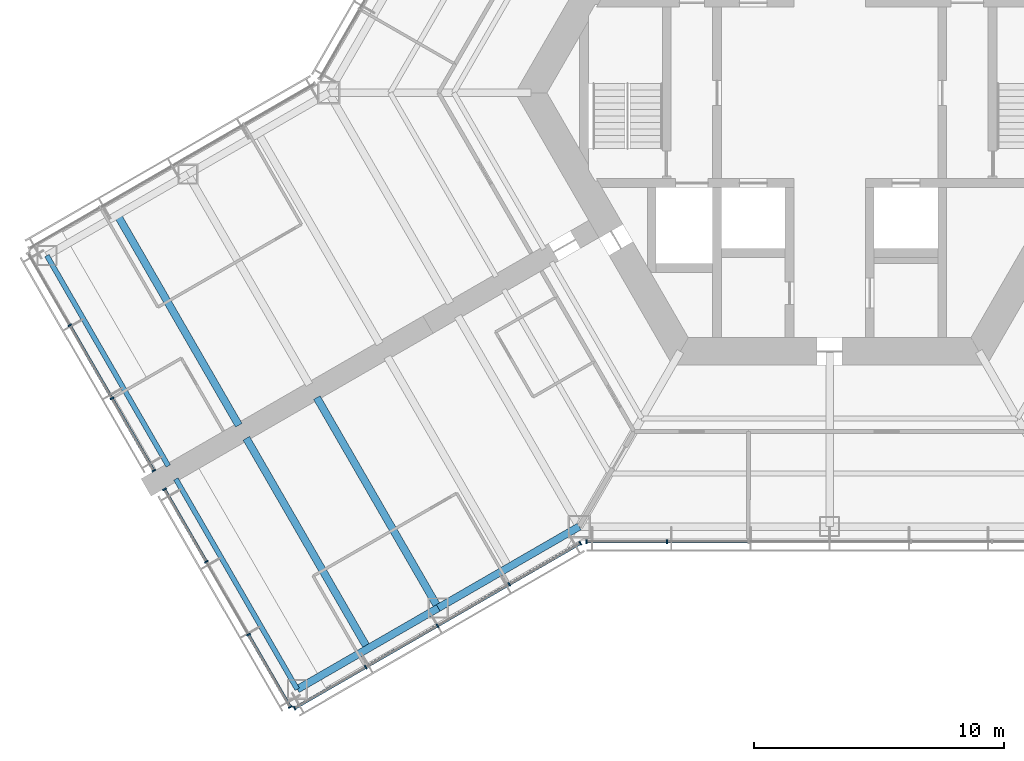
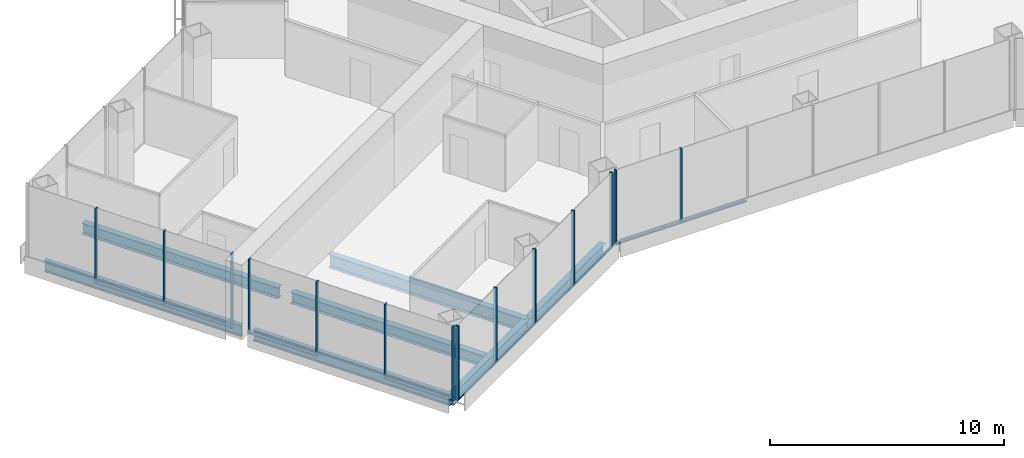
# One storey, part 2 of 18: 24 members, 7 beams, 4 elements without a shape of their own.
"""IFC4 building model written with IfcOpenShell, lengths in metres."""

import ifcopenshell
import ifcopenshell.guid

model = None  # the IFC model being written
_history = None  # IfcOwnerHistory: only IFC2X3 demands one
_inside = {}  # id of a spatial element -> (the spatial element, [elements in it])
_under = {}  # id of a project, library or spatial element -> (it, [spatial elements below it])
_declared = {}  # id of a project -> (the project, [libraries it declares])
_typed = {}  # id of a type object -> (the type object, [elements of that type])
_made_of = {}  # id of a material, layer set ... -> (it, [elements and type objects made of it])


def new_model(schema):
    """Start an empty IFC model of exactly this schema.

    Asked for "IFC4X3", IfcOpenShell would pick the latest addendum, in which some entities
    have other attributes; the version numbers below select the first issue.
    IFC2X3 requires an IfcOwnerHistory on every rooted entity: one is made here for all.
    """
    global model, _history
    if schema == "IFC4X3":
        model = ifcopenshell.file(schema_version=(4, 3, 0, 0))
    else:
        model = ifcopenshell.file(schema=schema)
    _inside.clear()
    _under.clear()
    _declared.clear()
    _typed.clear()
    _made_of.clear()
    _history = None
    if model.schema == "IFC2X3":
        org = make("IfcOrganization", Name="unknown")
        user = make(
            "IfcPersonAndOrganization",
            ThePerson=make("IfcPerson", FamilyName="unknown"),
            TheOrganization=org,
        )
        app = make(
            "IfcApplication",
            ApplicationDeveloper=org,
            Version="unknown",
            ApplicationFullName="unknown",
            ApplicationIdentifier="unknown",
        )
        _history = make(
            "IfcOwnerHistory",
            OwningUser=user,
            OwningApplication=app,
            ChangeAction="ADDED",
            CreationDate=0,
        )
    return model


def make(cls, **values):
    """One entity of the class cls with the attributes given. An attribute that is None is left unset."""
    return model.create_entity(
        cls, **{name: value for name, value in values.items() if value is not None}
    )


def rooted(cls, **values):
    """An entity with a GlobalId (a new one), such as an element, a storey or a relation."""
    return make(cls, GlobalId=ifcopenshell.guid.new(), OwnerHistory=_history, **values)


def si_unit(unit_type, name, prefix=None):
    """IfcSIUnit, for example si_unit("LENGTHUNIT", "METRE", prefix="MILLI")."""
    return make("IfcSIUnit", UnitType=unit_type, Prefix=prefix, Name=name)


def assignment(units):
    """IfcUnitAssignment: the units of a project."""
    return None if units is None else make("IfcUnitAssignment", Units=units)


def point(xyz):
    """IfcCartesianPoint."""
    return None if xyz is None else make("IfcCartesianPoint", Coordinates=xyz)


def direction(xyz):
    """IfcDirection."""
    return None if xyz is None else make("IfcDirection", DirectionRatios=xyz)


def frame(location, z_axis=None, x_axis=None):
    """IfcAxis2Placement3D, a coordinate frame: its origin and axes. An axis left out is left unset."""
    return make(
        "IfcAxis2Placement3D",
        Location=point(location),
        Axis=direction(z_axis),
        RefDirection=direction(x_axis),
    )


def frame_2d(location, x_axis=None):
    """IfcAxis2Placement2D, a coordinate frame in the plane: its origin and x axis."""
    return make(
        "IfcAxis2Placement2D", Location=point(location), RefDirection=direction(x_axis)
    )


def origin():
    """The frame at (0, 0, 0) with its axes left unset."""
    return frame((0.0, 0.0, 0.0))


def origin_2d():
    """The frame at (0, 0) in the plane with its x axis left unset."""
    return frame_2d((0.0, 0.0))


def place(relative_to, where):
    """IfcLocalPlacement: puts the frame where relative to a parent placement (None: the world)."""
    return make(
        "IfcLocalPlacement", PlacementRelTo=relative_to, RelativePlacement=where
    )


def context(
    kind, dimensions, precision=None, world=None, true_north=None, identifier=None
):
    """IfcGeometricRepresentationContext, for example the 3D "Model" context."""
    return make(
        "IfcGeometricRepresentationContext",
        ContextIdentifier=identifier,
        ContextType=kind,
        CoordinateSpaceDimension=dimensions,
        Precision=precision,
        WorldCoordinateSystem=world,
        TrueNorth=true_north,
    )


def subcontext(parent, identifier, kind, view, scale=None):
    """IfcGeometricRepresentationSubContext, for example "Body" below "Model"."""
    return make(
        "IfcGeometricRepresentationSubContext",
        ContextIdentifier=identifier,
        ContextType=kind,
        ParentContext=parent,
        TargetScale=scale,
        TargetView=view,
    )


def project(units=None, contexts=None):
    """IfcProject with its units and contexts."""
    return rooted(
        "IfcProject",
        Name="project",
        RepresentationContexts=contexts,
        UnitsInContext=assignment(units),
    )


def spatial(cls, under=None, at=None, **own):
    """A site, building, storey or space (cls), placed at a placement, below another one or the project."""
    s = rooted(cls, ObjectPlacement=at, **own)
    if under is not None:
        _under.setdefault(under.id(), (under, []))[1].append(s)
    return s


def profile(cls, at=None, kind="AREA", **sizes):
    """A parametric profile (cls). Its sizes go by their IFC names, for example OverallWidth=200.0."""
    return make(cls, ProfileType=kind, Position=at, **sizes)


def rectangle(**sizes):
    """IfcRectangleProfileDef."""
    return profile("IfcRectangleProfileDef", **sizes)


def i_section(**sizes):
    """IfcIShapeProfileDef."""
    return profile("IfcIShapeProfileDef", **sizes)


def extrude(swept, where, along, depth):
    """IfcExtrudedAreaSolid: the profile swept, set in the frame where, extruded along a direction by depth."""
    return make(
        "IfcExtrudedAreaSolid",
        SweptArea=swept,
        Position=where,
        ExtrudedDirection=direction(along),
        Depth=depth,
    )


def shape(context_of_items, identifier, shape_type, items):
    """IfcShapeRepresentation: the items that make up one representation, for example the "Body"."""
    return make(
        "IfcShapeRepresentation",
        ContextOfItems=context_of_items,
        RepresentationIdentifier=identifier,
        RepresentationType=shape_type,
        Items=items,
    )


def material(Name=None, Category=None):
    """IfcMaterial."""
    return make("IfcMaterial", Name=Name, Category=Category)


def material_profile(
    of_material, cross_section, Name=None, Category=None, Priority=None
):
    """IfcMaterialProfile: a cross section and its material."""
    return make(
        "IfcMaterialProfile",
        Name=Name,
        Material=of_material,
        Profile=cross_section,
        Priority=Priority,
        Category=Category,
    )


def profile_set(profiles, Name=None, composite=None):
    """IfcMaterialProfileSet."""
    return make(
        "IfcMaterialProfileSet",
        Name=Name,
        MaterialProfiles=profiles,
        CompositeProfile=composite,
    )


def made_of(thing, what):
    """Note that an element or type object is made of a material, layer set ...; save() writes the relation."""
    if what is not None:
        _made_of.setdefault(what.id(), (what, []))[1].append(thing)
    return thing


def type_object(cls, material=None, **own):
    """A type object (cls), such as IfcWallType, which elements share."""
    return made_of(rooted(cls, **own), material)


def element(
    cls,
    number,
    at=None,
    inside=None,
    cuts=None,
    type_object=None,
    material=None,
    context=None,
    identifier="Body",
    shape_type=None,
    held_by="IfcProductDefinitionShape",
    body=None,
    shapes=None,
    **own,
):
    """One element of the class cls, such as IfcWall. Its Tag is "e" and its number.

    at: its placement. inside: the storey or other place that contains it. cuts: it is an
    opening in that element (IfcRelVoidsElement). A single representation is given by context,
    identifier, shape_type and body (its items); several are given by shapes. held_by: the class
    of the entity that holds the representations. save() writes the other relations.
    """
    e = rooted(cls, Tag="e%d" % number, ObjectPlacement=at, **own)
    if body is not None:
        shapes = [shape(context, identifier, shape_type, body)]
    if shapes is not None:
        e.Representation = make(held_by, Representations=shapes)
    if inside is not None:
        _inside.setdefault(inside.id(), (inside, []))[1].append(e)
    if cuts is not None:
        rooted(
            "IfcRelVoidsElement", RelatingBuildingElement=cuts, RelatedOpeningElement=e
        )
    if type_object is not None:
        _typed.setdefault(type_object.id(), (type_object, []))[1].append(e)
    return made_of(e, material)


def aggregate(whole, parts):
    """IfcRelAggregates: a whole, such as a stair, and the parts it consists of."""
    return rooted("IfcRelAggregates", RelatingObject=whole, RelatedObjects=parts)


def save(model, path):
    """Write the relations noted so far, then the file.

    IfcRelAggregates (storeys below a building ...), IfcRelContainedInSpatialStructure (elements
    in a storey), IfcRelDefinesByType, IfcRelAssociatesMaterial and IfcRelDeclares: one each for
    every whole, place, type object, material and project.
    """
    for whole, parts in _under.values():
        aggregate(whole, parts)
    for where, things in _inside.values():
        rooted(
            "IfcRelContainedInSpatialStructure",
            RelatedElements=things,
            RelatingStructure=where,
        )
    for kind, things in _typed.values():
        rooted("IfcRelDefinesByType", RelatedObjects=things, RelatingType=kind)
    for what, things in _made_of.values():
        rooted("IfcRelAssociatesMaterial", RelatedObjects=things, RelatingMaterial=what)
    for by, libraries in _declared.values():
        rooted("IfcRelDeclares", RelatingContext=by, RelatedDefinitions=libraries)
    model.write(path)


model = new_model("IFC4")

# Units and contexts
model_context = context("Model", 3, precision=1e-05, world=origin(), true_north=direction((0.0, 1.0)))
body_context = subcontext(model_context, "Body", "Model", "MODEL_VIEW")
ifc_project = project(units=[si_unit("LENGTHUNIT", "METRE"), si_unit("AREAUNIT", "SQUARE_METRE"), si_unit("VOLUMEUNIT", "CUBIC_METRE"), si_unit("PLANEANGLEUNIT", "RADIAN"), si_unit("MASSUNIT", "GRAM", prefix="KILO")], contexts=[model_context])

# Site, building, storey
site_placement = place(None, origin())
site = spatial("IfcSite", under=ifc_project, at=site_placement, CompositionType="ELEMENT")
building_placement = place(site_placement, origin())
building = spatial("IfcBuilding", under=site, at=building_placement, Name="Kasaneha Research Tower", CompositionType="ELEMENT")
storey_placement = place(building_placement, frame((0.0, 0.0, 76.800048828125)))
storey = spatial("IfcBuildingStorey", under=building, at=storey_placement, Name="L19", CompositionType="ELEMENT", Elevation=76.800048828125)

# Beams
ifc_material_1 = material(Name="Steel SN490B", Category="steel")
ifc_material_profile_1 = material_profile(ifc_material_1, i_section(OverallWidth=0.300048828125, OverallDepth=0.58203125, WebThickness=0.011962890625, FlangeThickness=0.01708984375, FilletRadius=0.012939453125, at=origin_2d()), Name="H-582x300x12x17")
ifc_profile_set_1 = profile_set([ifc_material_profile_1], Name="Steel SN490B")
beam_type_1 = type_object("IfcBeamType", Name="B2-3 secondary beam H-582x300x12x17", PredefinedType="JOIST", material=ifc_profile_set_1)
for number, where, z_axis, x_axis, name in (
    (1, (-28.44384765625, -4.875, -0.441162109375), (0.500010041276, -0.866019606374, 0.0), (0.866019606374, 0.500010041276, 0.0), "Secondary beam WBBP2 L19"),
    (2, (-18.44384765625, -22.195556640625, -0.441162109375), (-0.499991164321, 0.866030505006, 0.0), (-0.866030505006, -0.499991164321, 0.0), "Secondary beam WBBN2 L19"),
):
    element("IfcBeam", number, at=place(storey_placement, frame(where, z_axis=z_axis, x_axis=x_axis)), inside=storey, type_object=beam_type_1, Name=name, PredefinedType="JOIST", context=body_context, shape_type="SweptSolid", body=[
        extrude(i_section(OverallWidth=0.300048828125, OverallDepth=0.58203125, WebThickness=0.011962890625, FlangeThickness=0.01708984375, FilletRadius=0.012939453125, at=origin_2d()), origin(), (0.0, 0.0, 1.0), 9.699951171875),
    ])

# Curtain wall, members
ifc_material_2 = material(Name="Glass and aluminium", Category="aluminium")
curtain_wall_type = type_object("IfcCurtainWallType", Name="Low-rise office curtain wall", PredefinedType="USERDEFINED", material=ifc_material_2)
curtain_wall_1_placement = place(storey_placement, origin())
curtain_wall_1 = element("IfcCurtainWall", 3, at=curtain_wall_1_placement, inside=storey, type_object=curtain_wall_type, Name="CW-O1 L19 run 01a", ObjectType="UNITISED CURTAIN WALL", PredefinedType="USERDEFINED")
ifc_material_3 = material(Name="Aluminium 6063-T6", Category="aluminium")
ifc_material_profile_2 = material_profile(ifc_material_3, rectangle(XDim=0.06005859375, YDim=0.159912109375, at=origin_2d()), Name="CW-O1 mullion 60x160")
ifc_profile_set_2 = profile_set([ifc_material_profile_2], Name="Aluminium 6063-T6")
member_type_1 = type_object("IfcMemberType", Name="CW-O1 mullion", PredefinedType="MULLION", material=ifc_profile_set_2)
member_1_placement = place(storey_placement, frame((-21.365478515625, -24.5751953125, 0.0), z_axis=(0.0, 0.0, 1.0), x_axis=(0.866025411464, 0.499999986699, 0.0)))
member_1 = element("IfcMember", 4, at=member_1_placement, type_object=member_type_1, Name="CW-O1 mullion 1", PredefinedType="MULLION", context=body_context, shape_type="SweptSolid", body=[
    extrude(rectangle(XDim=0.06005859375, YDim=0.159912109375, at=origin_2d()), origin(), (0.0, 0.0, 1.0), 3.89990234375),
])
member_2_placement = place(storey_placement, frame((-18.52490234375, -22.935302734375, 0.0), z_axis=(0.0, 0.0, 1.0), x_axis=(0.866025411464, 0.499999986699, 0.0)))
member_2 = element("IfcMember", 5, at=member_2_placement, type_object=member_type_1, Name="CW-O1 mullion 2", PredefinedType="MULLION", context=body_context, shape_type="SweptSolid", body=[
    extrude(rectangle(XDim=0.06005859375, YDim=0.159912109375, at=origin_2d()), origin(), (0.0, 0.0, 1.0), 3.89990234375),
])
member_3_placement = place(storey_placement, frame((-15.65869140625, -21.2802734375, 0.0), z_axis=(0.0, 0.0, 1.0), x_axis=(0.866025411464, 0.499999986699, 0.0)))
member_3 = element("IfcMember", 6, at=member_3_placement, type_object=member_type_1, Name="CW-O1 mullion 3", PredefinedType="MULLION", context=body_context, shape_type="SweptSolid", body=[
    extrude(rectangle(XDim=0.06005859375, YDim=0.159912109375, at=origin_2d()), origin(), (0.0, 0.0, 1.0), 3.89990234375),
])
member_4_placement = place(storey_placement, frame((-12.792236328125, -19.62548828125, 0.0), z_axis=(0.0, 0.0, 1.0), x_axis=(0.866025411464, 0.499999986699, 0.0)))
member_4 = element("IfcMember", 7, at=member_4_placement, type_object=member_type_1, Name="CW-O1 mullion 4", PredefinedType="MULLION", context=body_context, shape_type="SweptSolid", body=[
    extrude(rectangle(XDim=0.06005859375, YDim=0.159912109375, at=origin_2d()), origin(), (0.0, 0.0, 1.0), 3.89990234375),
])
member_5_placement = place(storey_placement, frame((-9.951904296875, -17.985595703125, 0.0), z_axis=(0.0, 0.0, 1.0), x_axis=(0.866025411464, 0.499999986699, 0.0)))
member_5 = element("IfcMember", 8, at=member_5_placement, type_object=member_type_1, Name="CW-O1 mullion 5", PredefinedType="MULLION", context=body_context, shape_type="SweptSolid", body=[
    extrude(rectangle(XDim=0.06005859375, YDim=0.159912109375, at=origin_2d()), origin(), (0.0, 0.0, 1.0), 3.89990234375),
])

curtain_wall_2_placement = place(storey_placement, origin())
curtain_wall_2 = element("IfcCurtainWall", 9, at=curtain_wall_2_placement, inside=storey, type_object=curtain_wall_type, Name="CW-O1 L19 run 02a", ObjectType="UNITISED CURTAIN WALL", PredefinedType="USERDEFINED")
member_6_placement = place(storey_placement, frame((-9.709228515625, -17.92041015625, 0.0), z_axis=(0.0, 0.0, 1.0), x_axis=(1.0, 0.0, 0.0)))
member_6 = element("IfcMember", 10, at=member_6_placement, type_object=member_type_1, Name="CW-O1 mullion 1", PredefinedType="MULLION", context=body_context, shape_type="SweptSolid", body=[
    extrude(rectangle(XDim=0.06005859375, YDim=0.159912109375, at=origin_2d()), origin(), (0.0, 0.0, 1.0), 3.89990234375),
])
member_7_placement = place(storey_placement, frame((-6.492919921875, -17.92041015625, 0.0), z_axis=(0.0, 0.0, 1.0), x_axis=(1.0, 0.0, 0.0)))
member_7 = element("IfcMember", 11, at=member_7_placement, type_object=member_type_1, Name="CW-O1 mullion 2", PredefinedType="MULLION", context=body_context, shape_type="SweptSolid", body=[
    extrude(rectangle(XDim=0.06005859375, YDim=0.159912109375, at=origin_2d()), origin(), (0.0, 0.0, 1.0), 3.89990234375),
])

curtain_wall_3_placement = place(storey_placement, origin())
curtain_wall_3 = element("IfcCurtainWall", 12, at=curtain_wall_3_placement, inside=storey, type_object=curtain_wall_type, Name="CW-O1 L19 run 14a", ObjectType="UNITISED CURTAIN WALL", PredefinedType="USERDEFINED")
member_8_placement = place(storey_placement, frame((-30.3447265625, -9.28271484375, 0.0), z_axis=(0.0, 0.0, 1.0), x_axis=(0.500000011442, -0.866025397178, 0.0)))
member_8 = element("IfcMember", 13, at=member_8_placement, type_object=member_type_1, Name="CW-O1 mullion 2", PredefinedType="MULLION", context=body_context, shape_type="SweptSolid", body=[
    extrude(rectangle(XDim=0.06005859375, YDim=0.159912109375, at=origin_2d()), origin(), (0.0, 0.0, 1.0), 3.89990234375),
])
member_9_placement = place(storey_placement, frame((-28.661376953125, -12.1982421875, 0.0), z_axis=(0.0, 0.0, 1.0), x_axis=(0.500000011442, -0.866025397178, 0.0)))
member_9 = element("IfcMember", 14, at=member_9_placement, type_object=member_type_1, Name="CW-O1 mullion 3", PredefinedType="MULLION", context=body_context, shape_type="SweptSolid", body=[
    extrude(rectangle(XDim=0.06005859375, YDim=0.159912109375, at=origin_2d()), origin(), (0.0, 0.0, 1.0), 3.89990234375),
])
member_10_placement = place(storey_placement, frame((-26.992919921875, -15.087890625, 0.0), z_axis=(0.0, 0.0, 1.0), x_axis=(0.500000011442, -0.866025397178, 0.0)))
member_10 = element("IfcMember", 15, at=member_10_placement, type_object=member_type_1, Name="CW-O1 mullion 4", PredefinedType="MULLION", context=body_context, shape_type="SweptSolid", body=[
    extrude(rectangle(XDim=0.06005859375, YDim=0.159912109375, at=origin_2d()), origin(), (0.0, 0.0, 1.0), 3.89990234375),
])

curtain_wall_4_placement = place(storey_placement, origin())
curtain_wall_4 = element("IfcCurtainWall", 16, at=curtain_wall_4_placement, inside=storey, type_object=curtain_wall_type, Name="CW-O1 L19 run 15a", ObjectType="UNITISED CURTAIN WALL", PredefinedType="USERDEFINED")
member_11_placement = place(storey_placement, frame((-26.56298828125, -15.832763671875, 0.0), z_axis=(0.0, 0.0, 1.0), x_axis=(0.500000011442, -0.866025397178, 0.0)))
member_11 = element("IfcMember", 17, at=member_11_placement, type_object=member_type_1, Name="CW-O1 mullion 1", PredefinedType="MULLION", context=body_context, shape_type="SweptSolid", body=[
    extrude(rectangle(XDim=0.06005859375, YDim=0.159912109375, at=origin_2d()), origin(), (0.0, 0.0, 1.0), 3.89990234375),
])
member_12_placement = place(storey_placement, frame((-24.89453125, -18.72216796875, 0.0), z_axis=(0.0, 0.0, 1.0), x_axis=(0.500000011442, -0.866025397178, 0.0)))
member_12 = element("IfcMember", 18, at=member_12_placement, type_object=member_type_1, Name="CW-O1 mullion 2", PredefinedType="MULLION", context=body_context, shape_type="SweptSolid", body=[
    extrude(rectangle(XDim=0.06005859375, YDim=0.159912109375, at=origin_2d()), origin(), (0.0, 0.0, 1.0), 3.89990234375),
])
member_13_placement = place(storey_placement, frame((-23.211181640625, -21.637939453125, 0.0), z_axis=(0.0, 0.0, 1.0), x_axis=(0.500000011442, -0.866025397178, 0.0)))
member_13 = element("IfcMember", 19, at=member_13_placement, type_object=member_type_1, Name="CW-O1 mullion 3", PredefinedType="MULLION", context=body_context, shape_type="SweptSolid", body=[
    extrude(rectangle(XDim=0.06005859375, YDim=0.159912109375, at=origin_2d()), origin(), (0.0, 0.0, 1.0), 3.89990234375),
])
member_14_placement = place(storey_placement, frame((-21.54296875, -24.527587890625, 0.0), z_axis=(0.0, 0.0, 1.0), x_axis=(0.500000011442, -0.866025397178, 0.0)))
member_14 = element("IfcMember", 20, at=member_14_placement, type_object=member_type_1, Name="CW-O1 mullion 4", PredefinedType="MULLION", context=body_context, shape_type="SweptSolid", body=[
    extrude(rectangle(XDim=0.06005859375, YDim=0.159912109375, at=origin_2d()), origin(), (0.0, 0.0, 1.0), 3.89990234375),
])

# Member
ifc_material_4 = material(Name="Aluminium 6063-T6", Category="aluminium")
ifc_material_profile_3 = material_profile(ifc_material_4, rectangle(XDim=0.1201171875, YDim=0.06005859375, at=origin_2d()), Name="CW-O1 transom 120x60")
ifc_profile_set_3 = profile_set([ifc_material_profile_3], Name="Aluminium 6063-T6")
member_type_2 = type_object("IfcMemberType", Name="CW-O1 transom", PredefinedType="USERDEFINED", material=ifc_profile_set_3)
member_15_placement = place(storey_placement, frame((-21.33935546875, -24.56005859375, 0.030029296875), z_axis=(0.866022692473, 0.500004696101, 0.0), x_axis=(-0.500004696101, 0.866022692473, 0.0)))
member_15 = element("IfcMember", 21, at=member_15_placement, type_object=member_type_2, Name="CW-O1 transom 1", ObjectType="TRANSOM", PredefinedType="USERDEFINED", context=body_context, shape_type="SweptSolid", body=[
    extrude(rectangle(XDim=0.1201171875, YDim=0.06005859375, at=origin_2d()), origin(), (0.0, 0.0, 1.0), 3.2197265625),
])

member_16_placement = place(storey_placement, frame((-18.4990234375, -22.920166015625, 0.030029296875), z_axis=(0.86604797581, 0.499960902066, 0.0), x_axis=(-0.499960902066, 0.86604797581, 0.0)))
member_16 = element("IfcMember", 22, at=member_16_placement, type_object=member_type_2, Name="CW-O1 transom 2", ObjectType="TRANSOM", PredefinedType="USERDEFINED", context=body_context, shape_type="SweptSolid", body=[
    extrude(rectangle(XDim=0.1201171875, YDim=0.06005859375, at=origin_2d()), origin(), (0.0, 0.0, 1.0), 3.249755859375),
])

member_17_placement = place(storey_placement, frame((-15.632568359375, -21.265380859375, 0.030029296875), z_axis=(0.866015446554, 0.500017246033, 0.0), x_axis=(-0.500017246033, 0.866015446554, 0.0)))
member_17 = element("IfcMember", 23, at=member_17_placement, type_object=member_type_2, Name="CW-O1 transom 3", ObjectType="TRANSOM", PredefinedType="USERDEFINED", context=body_context, shape_type="SweptSolid", body=[
    extrude(rectangle(XDim=0.1201171875, YDim=0.06005859375, at=origin_2d()), origin(), (0.0, 0.0, 1.0), 3.25),
])

member_18_placement = place(storey_placement, frame((-12.76611328125, -19.6103515625, 0.030029296875), z_axis=(0.866022692473, 0.500004696101, 0.0), x_axis=(-0.500004696101, 0.866022692473, 0.0)))
member_18 = element("IfcMember", 24, at=member_18_placement, type_object=member_type_2, Name="CW-O1 transom 4", ObjectType="TRANSOM", PredefinedType="USERDEFINED", context=body_context, shape_type="SweptSolid", body=[
    extrude(rectangle(XDim=0.1201171875, YDim=0.06005859375, at=origin_2d()), origin(), (0.0, 0.0, 1.0), 3.2197265625),
])

aggregate(curtain_wall_1, [member_1, member_2, member_3, member_4, member_5, member_15, member_16, member_17, member_18])

member_19_placement = place(storey_placement, frame((-9.67919921875, -17.92041015625, 0.030029296875), z_axis=(1.0, 0.0, 0.0), x_axis=(0.0, 1.0, 0.0)))
member_19 = element("IfcMember", 25, at=member_19_placement, type_object=member_type_2, Name="CW-O1 transom 1", ObjectType="TRANSOM", PredefinedType="USERDEFINED", context=body_context, shape_type="SweptSolid", body=[
    extrude(rectangle(XDim=0.1201171875, YDim=0.06005859375, at=origin_2d()), origin(), (0.0, 0.0, 1.0), 3.156494140625),
])

member_20_placement = place(storey_placement, frame((-6.462890625, -17.92041015625, 0.030029296875), z_axis=(1.0, 0.0, 0.0), x_axis=(0.0, 1.0, 0.0)))
member_20 = element("IfcMember", 26, at=member_20_placement, type_object=member_type_2, Name="CW-O1 transom 2", ObjectType="TRANSOM", PredefinedType="USERDEFINED", context=body_context, shape_type="SweptSolid", body=[
    extrude(rectangle(XDim=0.1201171875, YDim=0.06005859375, at=origin_2d()), origin(), (0.0, 0.0, 1.0), 3.1865234375),
])

aggregate(curtain_wall_2, [member_6, member_7, member_19, member_20])

member_21_placement = place(storey_placement, frame((-30.32958984375, -9.30859375, 0.030029296875), z_axis=(0.499982354831, -0.866035590988, 0.0), x_axis=(0.866035590988, 0.499982354831, 0.0)))
member_21 = element("IfcMember", 27, at=member_21_placement, type_object=member_type_2, Name="CW-O1 transom 2", ObjectType="TRANSOM", PredefinedType="USERDEFINED", context=body_context, shape_type="SweptSolid", body=[
    extrude(rectangle(XDim=0.1201171875, YDim=0.06005859375, at=origin_2d()), origin(), (0.0, 0.0, 1.0), 3.306640625),
])

member_22_placement = place(storey_placement, frame((-28.646240234375, -12.22412109375, 0.030029296875), z_axis=(0.499969700927, -0.866042896256, 0.0), x_axis=(0.866042896256, 0.499969700927, 0.0)))
member_22 = element("IfcMember", 28, at=member_22_placement, type_object=member_type_2, Name="CW-O1 transom 3", ObjectType="TRANSOM", PredefinedType="USERDEFINED", context=body_context, shape_type="SweptSolid", body=[
    extrude(rectangle(XDim=0.1201171875, YDim=0.06005859375, at=origin_2d()), origin(), (0.0, 0.0, 1.0), 3.276611328125),
])

aggregate(curtain_wall_3, [member_8, member_9, member_10, member_21, member_22])

member_23_placement = place(storey_placement, frame((-26.5478515625, -15.858642578125, 0.030029296875), z_axis=(0.499969700927, -0.866042896256, 0.0), x_axis=(0.866042896256, 0.499969700927, 0.0)))
member_23 = element("IfcMember", 29, at=member_23_placement, type_object=member_type_2, Name="CW-O1 transom 1", ObjectType="TRANSOM", PredefinedType="USERDEFINED", context=body_context, shape_type="SweptSolid", body=[
    extrude(rectangle(XDim=0.1201171875, YDim=0.06005859375, at=origin_2d()), origin(), (0.0, 0.0, 1.0), 3.276611328125),
])

member_24_placement = place(storey_placement, frame((-23.1962890625, -21.663818359375, 0.030029296875), z_axis=(0.500025583411, -0.866010632691, 0.0), x_axis=(0.866010632691, 0.500025583411, 0.0)))
member_24 = element("IfcMember", 30, at=member_24_placement, type_object=member_type_2, Name="CW-O1 transom 3", ObjectType="TRANSOM", PredefinedType="USERDEFINED", context=body_context, shape_type="SweptSolid", body=[
    extrude(rectangle(XDim=0.1201171875, YDim=0.06005859375, at=origin_2d()), origin(), (0.0, 0.0, 1.0), 3.276611328125),
])

aggregate(curtain_wall_4, [member_11, member_12, member_13, member_14, member_23, member_24])

# Beams
ifc_material_5 = material(Name="Steel SN490B", Category="steel")
ifc_material_profile_4 = material_profile(ifc_material_5, i_section(OverallWidth=0.300048828125, OverallDepth=0.699951171875, WebThickness=0.012939453125, FlangeThickness=0.02392578125, FilletRadius=0.01806640625, at=origin_2d()), Name="H-700x300x13x24")
ifc_profile_set_4 = profile_set([ifc_material_profile_4], Name="Steel SN490B")
beam_type_2 = type_object("IfcBeamType", Name="G4-3 wing girder H-700x300x13x24", PredefinedType="BEAM", material=ifc_profile_set_4)
beam_placement = place(storey_placement, frame((-15.629150390625, -20.570556640625, -0.5), z_axis=(-0.500010041276, 0.866019606374, 0.0), x_axis=(-0.866019606374, -0.500010041276, 0.0)))
element("IfcBeam", 31, at=beam_placement, inside=storey, type_object=beam_type_2, Name="Wing girder WGBN L19", PredefinedType="BEAM", context=body_context, shape_type="SweptSolid", body=[
    extrude(i_section(OverallWidth=0.300048828125, OverallDepth=0.699951171875, WebThickness=0.012939453125, FlangeThickness=0.02392578125, FilletRadius=0.01806640625, at=origin_2d()), origin(), (0.0, 0.0, 1.0), 9.699951171875),
])
ifc_material_6 = material(Name="Steel SN490B", Category="steel")
ifc_material_profile_5 = material_profile(ifc_material_6, i_section(OverallWidth=0.300048828125, OverallDepth=0.58203125, WebThickness=0.011962890625, FlangeThickness=0.01708984375, FilletRadius=0.012939453125, at=origin_2d()), Name="H-582x300x12x17")
ifc_profile_set_5 = profile_set([ifc_material_profile_5], Name="Steel SN490B")
beam_type_3 = type_object("IfcBeamType", Name="SB2-3 spandrel beam H-582x300x12x17", PredefinedType="SPANDREL", material=ifc_profile_set_5)
for number, where, z_axis, x_axis, name in (
    (32, (-10.0, -17.320556640625, -0.441162109375), (-0.866024837091, -0.50000098154, 0.0), (0.50000098154, -0.866024837091, 0.0), "Spandrel beam WSBN1 L19"),
    (33, (-15.629150390625, -20.570556640625, -0.441162109375), (-0.866024837091, -0.50000098154, 0.0), (0.50000098154, -0.866024837091, 0.0), "Spandrel beam WSBN2 L19"),
):
    element("IfcBeam", number, at=place(storey_placement, frame(where, z_axis=z_axis, x_axis=x_axis)), inside=storey, type_object=beam_type_3, Name=name, PredefinedType="SPANDREL", context=body_context, shape_type="SweptSolid", body=[
        extrude(i_section(OverallWidth=0.300048828125, OverallDepth=0.58203125, WebThickness=0.011962890625, FlangeThickness=0.01708984375, FilletRadius=0.012939453125, at=origin_2d()), origin(), (0.0, 0.0, 1.0), 6.5),
    ])
ifc_material_7 = material(Name="Steel SN490B", Category="steel")
ifc_material_profile_6 = material_profile(ifc_material_7, i_section(OverallWidth=0.199951171875, OverallDepth=0.60009765625, WebThickness=0.010986328125, FlangeThickness=0.01708984375, FilletRadius=0.012939453125, at=origin_2d()), Name="H-600x200x11x17")
ifc_profile_set_6 = profile_set([ifc_material_profile_6], Name="Steel SN490B")
beam_type_4 = type_object("IfcBeamType", Name="SB3-3 spandrel beam H-600x200x11x17", PredefinedType="SPANDREL", material=ifc_profile_set_6)
for number, where, z_axis, x_axis, name in (
    (34, (-31.25830078125, -6.5, -0.449951171875), (0.499991164321, -0.866030505006, 0.0), (0.866030505006, 0.499991164321, 0.0), "Spandrel beam WTBP L19"),
    (35, (-21.25830078125, -23.820556640625, -0.449951171875), (-0.500010041276, 0.866019606374, 0.0), (-0.866019606374, -0.500010041276, 0.0), "Spandrel beam WTBN L19"),
):
    element("IfcBeam", number, at=place(storey_placement, frame(where, z_axis=z_axis, x_axis=x_axis)), inside=storey, type_object=beam_type_4, Name=name, PredefinedType="SPANDREL", context=body_context, shape_type="SweptSolid", body=[
        extrude(i_section(OverallWidth=0.199951171875, OverallDepth=0.60009765625, WebThickness=0.010986328125, FlangeThickness=0.01708984375, FilletRadius=0.012939453125, at=origin_2d()), origin(), (0.0, 0.0, 1.0), 9.699951171875),
    ])

save(model, "model.ifc")
